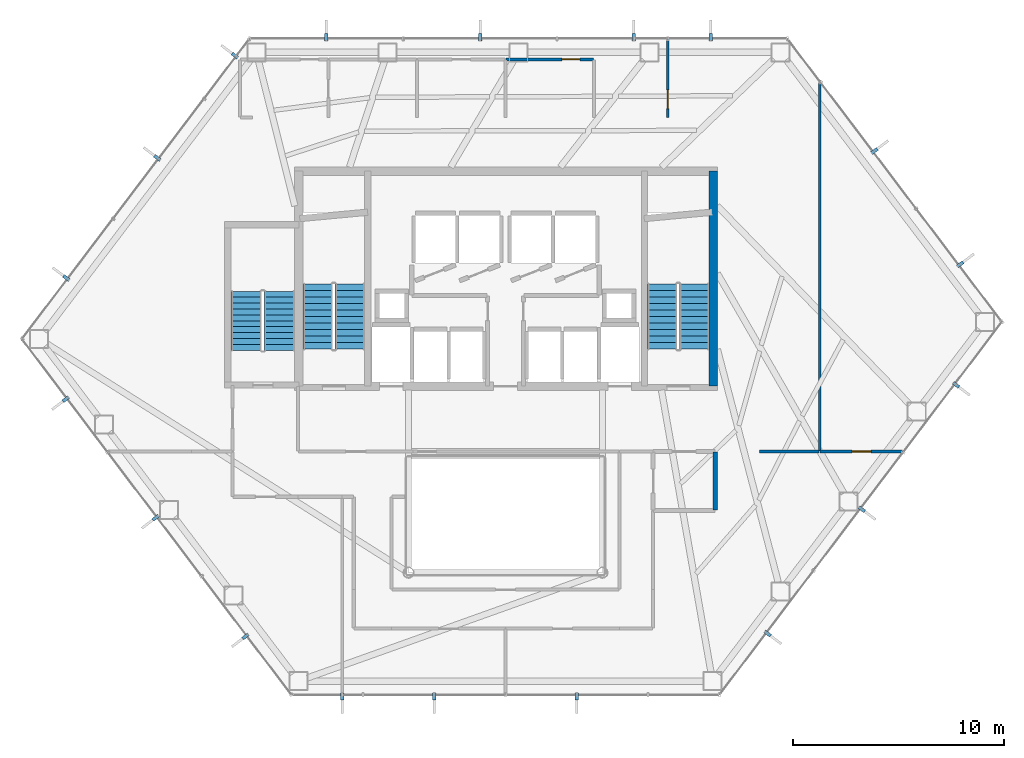
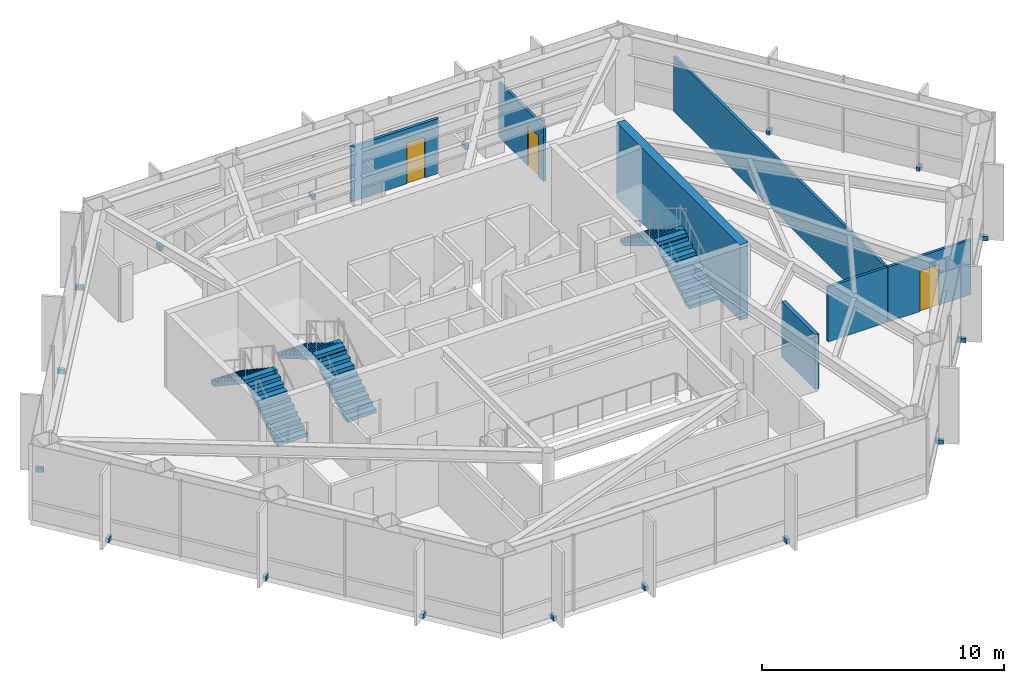
# One storey, part 23 of 24: 18 discrete accessories, 7 walls, 6 stair flights, 3 doors, 3 openings, 3 elements without a shape of their own.
"""IFC4 building model written with IfcOpenShell, lengths in metres."""

from ifc_helpers import new_model, si_unit, direction, frame, frame_2d, origin, origin_2d, place, context, subcontext, project, spatial, polyline, rectangle, outline, extrude, material, layer, layer_set, type_object, element, fill, aggregate, save


model = new_model("IFC4")

# Units and contexts
model_context = context("Model", 3, precision=1e-05, world=origin(), true_north=direction((0.0, 1.0)))
body_context = subcontext(model_context, "Body", "Model", "MODEL_VIEW")
ifc_project = project(units=[si_unit("LENGTHUNIT", "METRE"), si_unit("AREAUNIT", "SQUARE_METRE"), si_unit("VOLUMEUNIT", "CUBIC_METRE"), si_unit("PLANEANGLEUNIT", "RADIAN"), si_unit("MASSUNIT", "GRAM", prefix="KILO")], contexts=[model_context])

# Site, building, storey
site_placement = place(None, origin())
site = spatial("IfcSite", under=ifc_project, at=site_placement, CompositionType="ELEMENT")
building_placement = place(site_placement, origin())
building = spatial("IfcBuilding", under=site, at=building_placement, Name="Zarrinselat Tower", CompositionType="ELEMENT")
storey_placement = place(building_placement, frame((0.0, 0.0, 72.419921875)))
storey = spatial("IfcBuildingStorey", under=building, at=storey_placement, Name="L17", CompositionType="ELEMENT", Elevation=72.419921875)

# Wall
ifc_material_1 = material(Name="Concrete C40/50", Category="concrete")
ifc_layer_1 = layer(ifc_material_1, 0.18994140625)
ifc_layer_set_1 = layer_set([ifc_layer_1], Name="Concrete C40/50")
wall_type_1 = type_object("IfcWallType", Name="WAL-PART-EI120", PredefinedType="PARTITIONING", material=ifc_layer_set_1)
wall_1_placement = place(storey_placement, frame((48.35009765625, 27.3701171875, 0.0), z_axis=(0.0, 0.0, 1.0), x_axis=(0.0, 1.0, 0.0)))
element("IfcWall", 1, at=wall_1_placement, inside=storey, type_object=wall_type_1, Name="L17 Partition Wall 14", PredefinedType="PARTITIONING", context=body_context, shape_type="SweptSolid", body=[
    extrude(rectangle(XDim=2.759765625, YDim=0.18994140625, at=frame_2d((1.3798828125, 0.0))), origin(), (0.0, 0.0, 1.0), 2.777099609375),
])

# Wall, opening, door
ifc_material_2 = material(Name="Fire-Rated Gypsum Board Partition", Category="gypsum")
ifc_layer_2 = layer(ifc_material_2, 0.1201171875)
ifc_layer_set_2 = layer_set([ifc_layer_2], Name="Fire-Rated Gypsum Board Partition")
wall_type_2 = type_object("IfcWallType", Name="WAL-PART-STD", PredefinedType="PARTITIONING", material=ifc_layer_set_2)
wall_2_placement = place(storey_placement, frame((53.320068359375, 30.14990234375, 0.0), z_axis=(0.0, 0.0, 1.0), x_axis=(1.0, 0.0, 0.0)))
wall_2 = element("IfcWall", 2, at=wall_2_placement, inside=storey, type_object=wall_type_2, Name="L17 Partition Wall 44", PredefinedType="PARTITIONING", context=body_context, shape_type="SweptSolid", body=[
    extrude(rectangle(XDim=3.956298828125, YDim=0.1201171875, at=frame_2d((1.97802734375, 0.0))), origin(), (0.0, 0.0, 1.0), 2.777099609375),
])
opening_1_placement = place(wall_2_placement, frame((1.5283203125, 0.0, 0.0)))
opening_1 = element("IfcOpeningElement", 3, at=opening_1_placement, cuts=wall_2, Name="Opening ID-05", PredefinedType="OPENING", context=body_context, shape_type="SweptSolid", body=[
    extrude(rectangle(XDim=0.89990234375, YDim=2.050048828125, at=frame_2d((0.449951171875, 1.02490234375))), frame((0.0, 0.070068359375, 0.0), z_axis=(0.0, -1.0, 0.0), x_axis=(1.0, 0.0, 0.0)), (0.0, 0.0, 1.0), 0.14013671875),
])
ifc_material_3 = material(Name="Extruded Aluminium Alloy EN AW-6063 T6", Category="aluminium")
door_type_1 = type_object("IfcDoorType", Name="DR-INT-STD-920", OperationType="NOTDEFINED", PredefinedType="DOOR", material=ifc_material_3)
door_1_placement = place(opening_1_placement, origin())
door_1 = element("IfcDoor", 4, at=door_1_placement, inside=storey, type_object=door_type_1, Name="L17 Interior Door P44", OperationType="SINGLE_SWING_RIGHT", OverallHeight=2.050048828125, OverallWidth=0.89990234375, PredefinedType="DOOR", context=body_context, shape_type="SweptSolid", body=[
    extrude(rectangle(XDim=0.89990234375, YDim=2.050048828125, at=frame_2d((0.449951171875, 1.02490234375))), frame((0.0, 0.02490234375, 0.0), z_axis=(0.0, -1.0, 0.0), x_axis=(1.0, 0.0, 0.0)), (0.0, 0.0, 1.0), 0.050048828125),
])
fill(opening_1, door_1)

# Walls
wall_3_placement = place(storey_placement, frame((50.449951171875, 30.14990234375, 0.0), z_axis=(0.0, 0.0, 1.0), x_axis=(1.0, 0.0, 0.0)))
element("IfcWall", 5, at=wall_3_placement, inside=storey, type_object=wall_type_2, Name="L17 Partition Wall 45", PredefinedType="PARTITIONING", context=body_context, shape_type="SweptSolid", body=[
    extrude(rectangle(XDim=2.830078125, YDim=0.1201171875, at=frame_2d((1.4150390625, 0.0))), origin(), (0.0, 0.0, 1.0), 2.777099609375),
])
wall_4_placement = place(storey_placement, frame((53.300048828125, 30.169921875, 0.0), z_axis=(0.0, 0.0, 1.0), x_axis=(0.0, 1.0, 0.0)))
element("IfcWall", 6, at=wall_4_placement, inside=storey, type_object=wall_type_2, Name="L17 Partition Wall 48", PredefinedType="PARTITIONING", context=body_context, shape_type="SweptSolid", body=[
    extrude(rectangle(XDim=17.536865234375, YDim=0.1201171875, at=frame_2d((8.7685546875, 0.0))), origin(), (0.0, 0.0, 1.0), 2.777099609375),
])

# Wall, opening, door
wall_5_placement = place(storey_placement, frame((46.10009765625, 46.0, 0.0), z_axis=(0.0, 0.0, 1.0), x_axis=(0.0, 1.0, 0.0)))
wall_5 = element("IfcWall", 7, at=wall_5_placement, inside=storey, type_object=wall_type_2, Name="L17 Partition Wall 49", PredefinedType="PARTITIONING", context=body_context, shape_type="SweptSolid", body=[
    extrude(rectangle(XDim=3.71826171875, YDim=0.1201171875, at=frame_2d((1.859130859375, 0.0))), origin(), (0.0, 0.0, 1.0), 2.777099609375),
])
opening_2_placement = place(wall_5_placement, frame((0.4091796875, 0.0, 0.0)))
opening_2 = element("IfcOpeningElement", 8, at=opening_2_placement, cuts=wall_5, Name="Opening ID-05", PredefinedType="OPENING", context=body_context, shape_type="SweptSolid", body=[
    extrude(rectangle(XDim=0.89990234375, YDim=2.050048828125, at=frame_2d((0.449951171875, 1.02490234375))), frame((0.0, 0.070068359375, 0.0), z_axis=(0.0, -1.0, 0.0), x_axis=(1.0, 0.0, 0.0)), (0.0, 0.0, 1.0), 0.14013671875),
])
door_2_placement = place(opening_2_placement, origin())
door_2 = element("IfcDoor", 9, at=door_2_placement, inside=storey, type_object=door_type_1, Name="L17 Interior Door P49", OperationType="SINGLE_SWING_LEFT", OverallHeight=2.050048828125, OverallWidth=0.89990234375, PredefinedType="DOOR", context=body_context, shape_type="SweptSolid", body=[
    extrude(rectangle(XDim=0.89990234375, YDim=2.050048828125, at=frame_2d((0.449951171875, 1.02490234375))), frame((0.0, 0.02490234375, 0.0), z_axis=(0.0, -1.0, 0.0), x_axis=(1.0, 0.0, 0.0)), (0.0, 0.0, 1.0), 0.050048828125),
])
fill(opening_2, door_2)

ifc_material_4 = material(Name="Fire-Rated Gypsum Board Partition", Category="gypsum")
ifc_layer_3 = layer(ifc_material_4, 0.135009765625)
ifc_layer_set_3 = layer_set([ifc_layer_3], Name="Fire-Rated Gypsum Board Partition")
wall_type_3 = type_object("IfcWallType", Name="WAL-PART-WET", PredefinedType="PARTITIONING", material=ifc_layer_set_3)
wall_6_placement = place(storey_placement, frame((38.419921875, 48.75, 0.0), z_axis=(0.0, 0.0, 1.0), x_axis=(1.0, 0.0, 0.0)))
wall_6 = element("IfcWall", 10, at=wall_6_placement, inside=storey, type_object=wall_type_3, Name="L17 Partition Wall 40", PredefinedType="PARTITIONING", context=body_context, shape_type="SweptSolid", body=[
    extrude(rectangle(XDim=4.16015625, YDim=0.135009765625, at=frame_2d((2.080078125, 0.0))), origin(), (0.0, 0.0, 1.0), 2.777099609375),
])
opening_3_placement = place(wall_6_placement, frame((2.64990234375, 0.0, 0.0)))
opening_3 = element("IfcOpeningElement", 11, at=opening_3_placement, cuts=wall_6, Name="Opening ID-06", PredefinedType="OPENING", context=body_context, shape_type="SweptSolid", body=[
    extrude(rectangle(XDim=0.860107421875, YDim=2.050048828125, at=frame_2d((0.43017578125, 1.02490234375))), frame((0.0, 0.077392578125, 0.0), z_axis=(0.0, -1.0, 0.0), x_axis=(1.0, 0.0, 0.0)), (0.0, 0.0, 1.0), 0.155029296875),
])
ifc_material_5 = material(Name="Extruded Aluminium Alloy EN AW-6063 T6", Category="aluminium")
door_type_2 = type_object("IfcDoorType", Name="DR-INT-WET-900", OperationType="NOTDEFINED", PredefinedType="DOOR", material=ifc_material_5)
door_3_placement = place(opening_3_placement, origin())
door_3 = element("IfcDoor", 12, at=door_3_placement, inside=storey, type_object=door_type_2, Name="L17 Interior Door P40", OperationType="SINGLE_SWING_LEFT", OverallHeight=2.050048828125, OverallWidth=0.860107421875, PredefinedType="DOOR", context=body_context, shape_type="SweptSolid", body=[
    extrude(rectangle(XDim=0.860107421875, YDim=2.050048828125, at=frame_2d((0.43017578125, 1.02490234375))), frame((0.0, 0.02490234375, 0.0), z_axis=(0.0, -1.0, 0.0), x_axis=(1.0, 0.0, 0.0)), (0.0, 0.0, 1.0), 0.050048828125),
])
fill(opening_3, door_3)

# Wall
ifc_material_6 = material(Name="Concrete C60/75", Category="concrete")
ifc_layer_4 = layer(ifc_material_6, 0.39990234375)
ifc_layer_set_4 = layer_set([ifc_layer_4], Name="Concrete C60/75")
wall_type_4 = type_object("IfcWallType", Name="WAL-SHEAR-400", PredefinedType="SHEAR", material=ifc_layer_set_4)
wall_7_placement = place(storey_placement, frame((48.260009765625, 33.25, 0.0), z_axis=(0.0, 0.0, 1.0), x_axis=(0.0, 1.0, 0.0)))
element("IfcWall", 13, at=wall_7_placement, inside=storey, type_object=wall_type_4, Name="L17 Core Shear Wall E", PredefinedType="SHEAR", context=body_context, shape_type="SweptSolid", body=[
    extrude(rectangle(XDim=10.199951171875, YDim=0.39990234375, at=frame_2d((5.10009765625, 0.0))), origin(), (0.0, 0.0, 1.0), 3.820068359375),
])

# Stair, stair flights
ifc_material_7 = material(Name="Concrete C40/50", Category="concrete")
stair_type_1 = type_object("IfcStairType", Name="STR-CORE-145", PredefinedType="HALF_TURN_STAIR", material=ifc_material_7)
stair_1_placement = place(storey_placement, origin())
stair_1 = element("IfcStair", 14, at=stair_1_placement, inside=storey, type_object=stair_type_1, Name="L17 Podium & Mid-Tower Exit Stair 3", PredefinedType="HALF_TURN_STAIR")
ifc_material_8 = material(Name="Concrete C40/50", Category="concrete")
stair_flight_type_1 = type_object("IfcStairFlightType", Name="STR-FLT-145", PredefinedType="STRAIGHT", material=ifc_material_8)
stair_flight_1_placement = place(storey_placement, frame((27.675048828125, 34.949951171875, 0.0), z_axis=(0.0, 0.0, 1.0), x_axis=(0.0, 1.0, 0.0)))
stair_flight_1 = element("IfcStairFlight", 15, at=stair_flight_1_placement, type_object=stair_flight_type_1, Name="ST-3 flight 1", NumberOfRisers=11, NumberOfTreads=10, PredefinedType="STRAIGHT", RiserHeight=0.185454545, TreadLength=0.28, context=body_context, shape_type="SweptSolid", body=[
    extrude(outline(polyline([(0.0, 0.0), (0.0, 0.185546875), (0.280029296875, 0.185546875), (0.280029296875, 0.370849609375), (0.56005859375, 0.370849609375), (0.56005859375, 0.556396484375), (0.840087890625, 0.556396484375), (0.840087890625, 0.74169921875), (1.1201171875, 0.74169921875), (1.1201171875, 0.92724609375), (1.39990234375, 0.92724609375), (1.39990234375, 1.11279296875), (1.679931640625, 1.11279296875), (1.679931640625, 1.298095703125), (1.9599609375, 1.298095703125), (1.9599609375, 1.483642578125), (2.239990234375, 1.483642578125), (2.239990234375, 1.669189453125), (2.52001953125, 1.669189453125), (2.52001953125, 1.8544921875), (2.800048828125, 1.8544921875), (2.800048828125, 2.0400390625), (2.800048828125, 1.6748046875), (0.271484375, 0.0), (0.0, 0.0)])), frame((0.0, 0.72509765625, 0.0), z_axis=(0.0, -1.0, 0.0), x_axis=(1.0, 0.0, 0.0)), (0.0, 0.0, 1.0), 1.449951171875),
])
stair_flight_2_placement = place(storey_placement, frame((26.10498046875, 37.75, 2.0400390625), z_axis=(0.0, 0.0, 1.0), x_axis=(0.0, -1.0, 0.0)))
stair_flight_2 = element("IfcStairFlight", 16, at=stair_flight_2_placement, type_object=stair_flight_type_1, Name="ST-3 flight 2", NumberOfRisers=11, NumberOfTreads=10, PredefinedType="STRAIGHT", RiserHeight=0.185454545, TreadLength=0.28, context=body_context, shape_type="SweptSolid", body=[
    extrude(outline(polyline([(0.0, 0.0), (0.0, 0.185546875), (0.280029296875, 0.185546875), (0.280029296875, 0.370849609375), (0.56005859375, 0.370849609375), (0.56005859375, 0.556396484375), (0.840087890625, 0.556396484375), (0.840087890625, 0.74169921875), (1.1201171875, 0.74169921875), (1.1201171875, 0.92724609375), (1.39990234375, 0.92724609375), (1.39990234375, 1.11279296875), (1.679931640625, 1.11279296875), (1.679931640625, 1.298095703125), (1.9599609375, 1.298095703125), (1.9599609375, 1.483642578125), (2.239990234375, 1.483642578125), (2.239990234375, 1.669189453125), (2.52001953125, 1.669189453125), (2.52001953125, 1.8544921875), (2.800048828125, 1.8544921875), (2.800048828125, 2.0400390625), (2.800048828125, 1.6748046875), (0.271484375, 0.0), (0.0, 0.0)])), frame((0.0, 0.72509765625, 0.0), z_axis=(0.0, -1.0, 0.0), x_axis=(1.0, 0.0, 0.0)), (0.0, 0.0, 1.0), 1.449951171875),
])
aggregate(stair_1, [stair_flight_1, stair_flight_2])

ifc_material_9 = material(Name="Concrete C40/50", Category="concrete")
stair_type_2 = type_object("IfcStairType", Name="STR-CORE-155", PredefinedType="HALF_TURN_STAIR", material=ifc_material_9)
stair_2_placement = place(storey_placement, origin())
stair_2 = element("IfcStair", 17, at=stair_2_placement, inside=storey, type_object=stair_type_2, Name="L17 Core Exit Stair 1", PredefinedType="HALF_TURN_STAIR")
ifc_material_10 = material(Name="Concrete C40/50", Category="concrete")
stair_flight_type_2 = type_object("IfcStairFlightType", Name="STR-FLT-155", PredefinedType="STRAIGHT", material=ifc_material_10)
stair_flight_3_placement = place(storey_placement, frame((31.02001953125, 35.0, 0.0), z_axis=(0.0, 0.0, 1.0), x_axis=(0.0, 1.0, 0.0)))
stair_flight_3 = element("IfcStairFlight", 18, at=stair_flight_3_placement, type_object=stair_flight_type_2, Name="ST-1 flight 1", NumberOfRisers=11, NumberOfTreads=10, PredefinedType="STRAIGHT", RiserHeight=0.185454545, TreadLength=0.31, context=body_context, shape_type="SweptSolid", body=[
    extrude(outline(polyline([(0.0, 0.0), (0.0, 0.185546875), (0.31005859375, 0.185546875), (0.31005859375, 0.370849609375), (0.6201171875, 0.370849609375), (0.6201171875, 0.556396484375), (0.929931640625, 0.556396484375), (0.929931640625, 0.74169921875), (1.239990234375, 0.74169921875), (1.239990234375, 0.92724609375), (1.550048828125, 0.92724609375), (1.550048828125, 1.11279296875), (1.860107421875, 1.11279296875), (1.860107421875, 1.298095703125), (2.169921875, 1.298095703125), (2.169921875, 1.483642578125), (2.47998046875, 1.483642578125), (2.47998046875, 1.669189453125), (2.7900390625, 1.669189453125), (2.7900390625, 1.8544921875), (3.10009765625, 1.8544921875), (3.10009765625, 2.0400390625), (3.10009765625, 1.679931640625), (0.2919921875, 0.0), (0.0, 0.0)])), frame((0.0, 0.699951171875, 0.0), z_axis=(0.0, -1.0, 0.0), x_axis=(1.0, 0.0, 0.0)), (0.0, 0.0, 1.0), 1.39990234375),
])
stair_flight_4_placement = place(storey_placement, frame((29.5, 38.10009765625, 2.0400390625), z_axis=(0.0, 0.0, 1.0), x_axis=(0.0, -1.0, 0.0)))
stair_flight_4 = element("IfcStairFlight", 19, at=stair_flight_4_placement, type_object=stair_flight_type_2, Name="ST-1 flight 2", NumberOfRisers=11, NumberOfTreads=10, PredefinedType="STRAIGHT", RiserHeight=0.185454545, TreadLength=0.31, context=body_context, shape_type="SweptSolid", body=[
    extrude(outline(polyline([(0.0, 0.0), (0.0, 0.185546875), (0.31005859375, 0.185546875), (0.31005859375, 0.370849609375), (0.6201171875, 0.370849609375), (0.6201171875, 0.556396484375), (0.929931640625, 0.556396484375), (0.929931640625, 0.74169921875), (1.239990234375, 0.74169921875), (1.239990234375, 0.92724609375), (1.550048828125, 0.92724609375), (1.550048828125, 1.11279296875), (1.860107421875, 1.11279296875), (1.860107421875, 1.298095703125), (2.169921875, 1.298095703125), (2.169921875, 1.483642578125), (2.47998046875, 1.483642578125), (2.47998046875, 1.669189453125), (2.7900390625, 1.669189453125), (2.7900390625, 1.8544921875), (3.10009765625, 1.8544921875), (3.10009765625, 2.0400390625), (3.10009765625, 1.679931640625), (0.2919921875, 0.0), (0.0, 0.0)])), frame((0.0, 0.699951171875, 0.0), z_axis=(0.0, -1.0, 0.0), x_axis=(1.0, 0.0, 0.0)), (0.0, 0.0, 1.0), 1.39990234375),
])
aggregate(stair_2, [stair_flight_3, stair_flight_4])

stair_3_placement = place(storey_placement, origin())
stair_3 = element("IfcStair", 20, at=stair_3_placement, inside=storey, type_object=stair_type_2, Name="L17 Core Exit Stair 2", PredefinedType="HALF_TURN_STAIR")
stair_flight_5_placement = place(storey_placement, frame((47.360107421875, 35.0, 0.0), z_axis=(0.0, 0.0, 1.0), x_axis=(0.0, 1.0, 0.0)))
stair_flight_5 = element("IfcStairFlight", 21, at=stair_flight_5_placement, type_object=stair_flight_type_2, Name="ST-2 flight 1", NumberOfRisers=11, NumberOfTreads=10, PredefinedType="STRAIGHT", RiserHeight=0.185454545, TreadLength=0.31, context=body_context, shape_type="SweptSolid", body=[
    extrude(outline(polyline([(0.0, 0.0), (0.0, 0.185546875), (0.31005859375, 0.185546875), (0.31005859375, 0.370849609375), (0.6201171875, 0.370849609375), (0.6201171875, 0.556396484375), (0.929931640625, 0.556396484375), (0.929931640625, 0.74169921875), (1.239990234375, 0.74169921875), (1.239990234375, 0.92724609375), (1.550048828125, 0.92724609375), (1.550048828125, 1.11279296875), (1.860107421875, 1.11279296875), (1.860107421875, 1.298095703125), (2.169921875, 1.298095703125), (2.169921875, 1.483642578125), (2.47998046875, 1.483642578125), (2.47998046875, 1.669189453125), (2.7900390625, 1.669189453125), (2.7900390625, 1.8544921875), (3.10009765625, 1.8544921875), (3.10009765625, 2.0400390625), (3.10009765625, 1.679931640625), (0.2919921875, 0.0), (0.0, 0.0)])), frame((0.0, 0.699951171875, 0.0), z_axis=(0.0, -1.0, 0.0), x_axis=(1.0, 0.0, 0.0)), (0.0, 0.0, 1.0), 1.39990234375),
])
stair_flight_6_placement = place(storey_placement, frame((45.840087890625, 38.10009765625, 2.0400390625), z_axis=(0.0, 0.0, 1.0), x_axis=(0.0, -1.0, 0.0)))
stair_flight_6 = element("IfcStairFlight", 22, at=stair_flight_6_placement, type_object=stair_flight_type_2, Name="ST-2 flight 2", NumberOfRisers=11, NumberOfTreads=10, PredefinedType="STRAIGHT", RiserHeight=0.185454545, TreadLength=0.31, context=body_context, shape_type="SweptSolid", body=[
    extrude(outline(polyline([(0.0, 0.0), (0.0, 0.185546875), (0.31005859375, 0.185546875), (0.31005859375, 0.370849609375), (0.6201171875, 0.370849609375), (0.6201171875, 0.556396484375), (0.929931640625, 0.556396484375), (0.929931640625, 0.74169921875), (1.239990234375, 0.74169921875), (1.239990234375, 0.92724609375), (1.550048828125, 0.92724609375), (1.550048828125, 1.11279296875), (1.860107421875, 1.11279296875), (1.860107421875, 1.298095703125), (2.169921875, 1.298095703125), (2.169921875, 1.483642578125), (2.47998046875, 1.483642578125), (2.47998046875, 1.669189453125), (2.7900390625, 1.669189453125), (2.7900390625, 1.8544921875), (3.10009765625, 1.8544921875), (3.10009765625, 2.0400390625), (3.10009765625, 1.679931640625), (0.2919921875, 0.0), (0.0, 0.0)])), frame((0.0, 0.699951171875, 0.0), z_axis=(0.0, -1.0, 0.0), x_axis=(1.0, 0.0, 0.0)), (0.0, 0.0, 1.0), 1.39990234375),
])
aggregate(stair_3, [stair_flight_5, stair_flight_6])

# Discrete accessories
ifc_material_11 = material(Name="Steel S355J2", Category="steel")
discrete_accessory_type = type_object("IfcDiscreteAccessoryType", Name="ACC-FIN-BRACKET", PredefinedType="BRACKET", material=ifc_material_11)
for number, where, z_axis, x_axis, name in (
    (23, (48.130859375, 49.80322265625, -0.0498046875), (0.0, 0.0, 1.0), (0.0, 1.0, 0.0), "L17 Fin Fixing Bracket CW-L17-E01-01"),
    (24, (44.4853515625, 49.80322265625, -0.0498046875), (0.0, 0.0, 1.0), (0.0, 1.0, 0.0), "L17 Fin Fixing Bracket CW-L17-E01-03"),
    (25, (37.194580078125, 49.80322265625, -0.0498046875), (0.0, 0.0, 1.0), (0.0, 1.0, 0.0), "L17 Fin Fixing Bracket CW-L17-E01-05"),
    (26, (29.903564453125, 49.80322265625, -0.0498046875), (0.0, 0.0, 1.0), (0.0, 1.0, 0.0), "L17 Fin Fixing Bracket CW-L17-E01-07"),
    (27, (25.56201171875, 48.930419921875, -0.0498046875), (0.0, 0.0, 1.0), (-0.797092882627, 0.60385671849, 0.0), "L17 Fin Fixing Bracket CW-L17-E02-01"),
    (28, (21.88525390625, 44.076904296875, -0.0498046875), (0.0, 0.0, 1.0), (-0.797092882627, 0.60385671849, 0.0), "L17 Fin Fixing Bracket CW-L17-E02-03"),
    (29, (17.568115234375, 38.37841796875, -0.0498046875), (0.0, 0.0, 1.0), (-0.797092882627, 0.60385671849, 0.0), "L17 Fin Fixing Bracket CW-L17-E02-05"),
    (30, (17.541259765625, 32.630859375, -0.0498046875), (0.0, 0.0, 1.0), (-0.797094283044, -0.603854869931, 0.0), "L17 Fin Fixing Bracket CW-L17-E03-01"),
    (31, (21.804443359375, 27.003662109375, -0.0498046875), (0.0, 0.0, 1.0), (-0.797094283044, -0.603854869931, 0.0), "L17 Fin Fixing Bracket CW-L17-E03-03"),
    (32, (26.0673828125, 21.376220703125, -0.0498046875), (0.0, 0.0, 1.0), (-0.797094283044, -0.603854869931, 0.0), "L17 Fin Fixing Bracket CW-L17-E03-05"),
    (33, (30.64990234375, 18.534912109375, -0.0498046875), (0.0, 0.0, 1.0), (0.0, -1.0, 0.0), "L17 Fin Fixing Bracket CW-L17-E04-01"),
    (34, (35.018310546875, 18.534912109375, -0.0498046875), (0.0, 0.0, 1.0), (0.0, -1.0, 0.0), "L17 Fin Fixing Bracket CW-L17-E04-03"),
    (35, (41.78173828125, 18.534912109375, -0.0498046875), (0.0, 0.0, 1.0), (0.0, -1.0, 0.0), "L17 Fin Fixing Bracket CW-L17-E04-05"),
    (36, (50.83544921875, 21.511962890625, -0.0498046875), (0.0, 0.0, 1.0), (0.797094119063, -0.603855086386, 0.0), "L17 Fin Fixing Bracket CW-L17-E05-01"),
    (37, (55.30419921875, 27.410888671875, -0.0498046875), (0.0, 0.0, 1.0), (0.797094119063, -0.603855086386, 0.0), "L17 Fin Fixing Bracket CW-L17-E05-03"),
    (38, (59.773193359375, 33.309814453125, -0.0498046875), (0.0, 0.0, 1.0), (0.797094119063, -0.603855086386, 0.0), "L17 Fin Fixing Bracket CW-L17-E05-05"),
    (39, (59.972412109375, 39.0302734375, -0.0498046875), (0.0, 0.0, 1.0), (0.797093013736, 0.603856545426, 0.0), "L17 Fin Fixing Bracket CW-L17-E06-01"),
    (40, (55.902099609375, 44.40283203125, -0.0498046875), (0.0, 0.0, 1.0), (0.797093013736, 0.603856545426, 0.0), "L17 Fin Fixing Bracket CW-L17-E06-03"),
):
    element("IfcDiscreteAccessory", number, at=place(storey_placement, frame(where, z_axis=z_axis, x_axis=x_axis)), inside=storey, type_object=discrete_accessory_type, Name=name, PredefinedType="BRACKET", context=body_context, shape_type="SweptSolid", body=[
        extrude(rectangle(XDim=0.340087890625, YDim=0.159912109375, at=origin_2d()), origin(), (0.0, 0.0, 1.0), 0.219970703125),
    ])

save(model, "model.ifc")
